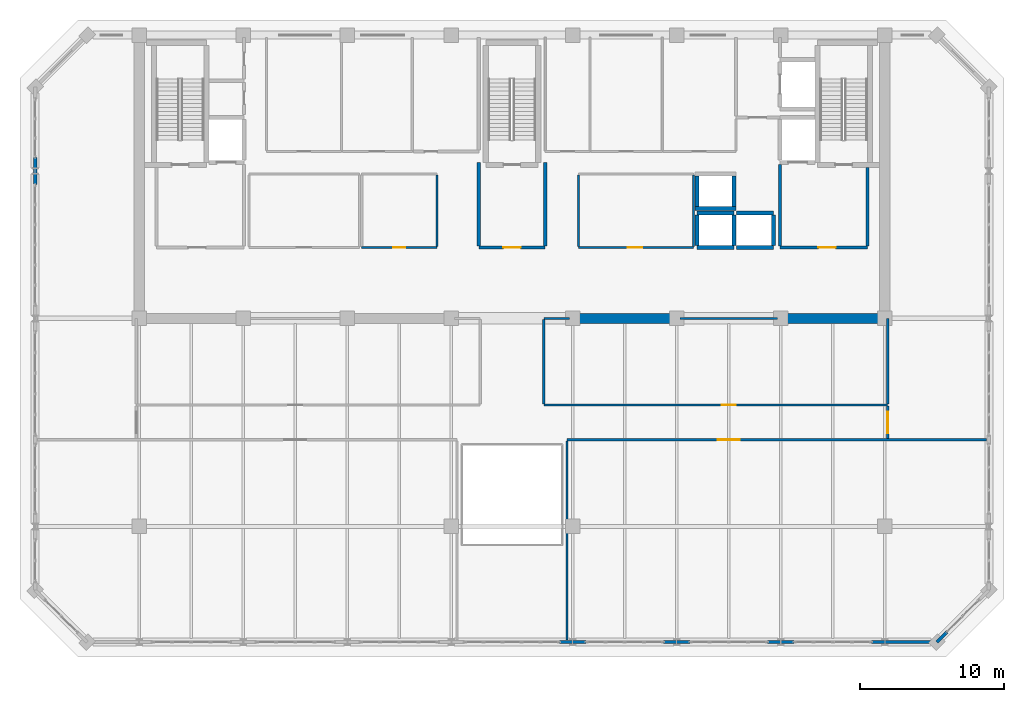
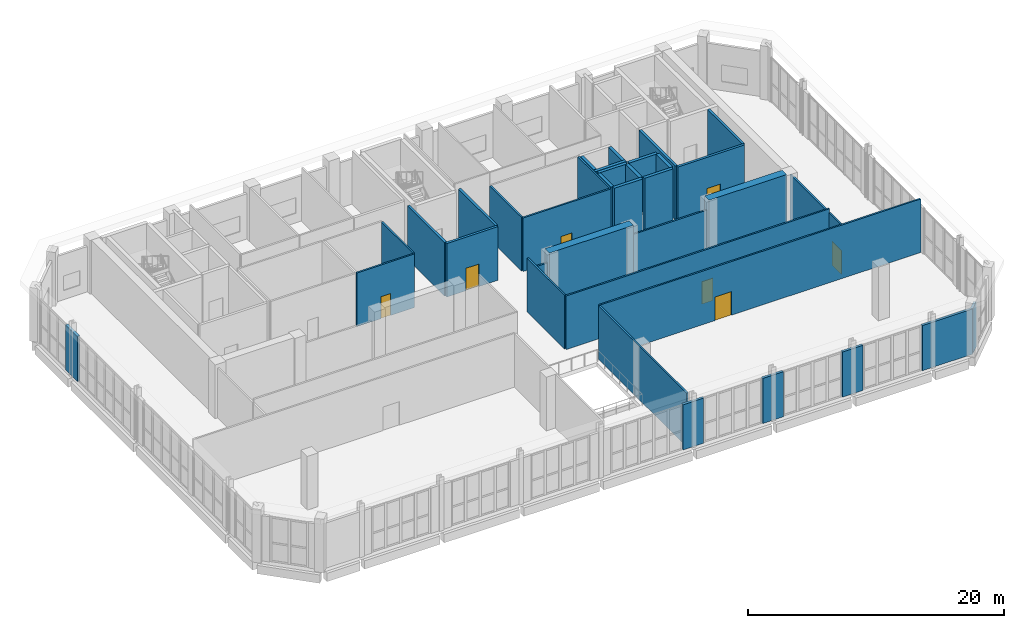
# One storey, part 20 of 26: 37 walls, 7 doors, 7 openings.
"""IFC4 building model written with IfcOpenShell, lengths in metres."""

from ifc_helpers import new_model, si_unit, direction, frame, frame_2d, origin, place, context, subcontext, project, spatial, rectangle, extrude, material, layer, layer_set, type_object, element, fill, save


model = new_model("IFC4")

# Units and contexts
model_context = context("Model", 3, precision=1e-05, world=origin(), true_north=direction((0.0, 1.0)))
body_context = subcontext(model_context, "Body", "Model", "MODEL_VIEW")
ifc_project = project(units=[si_unit("LENGTHUNIT", "METRE"), si_unit("AREAUNIT", "SQUARE_METRE"), si_unit("VOLUMEUNIT", "CUBIC_METRE"), si_unit("PLANEANGLEUNIT", "RADIAN"), si_unit("MASSUNIT", "GRAM", prefix="KILO")], contexts=[model_context])

# Site, building, storey
site_placement = place(None, origin())
site = spatial("IfcSite", under=ifc_project, at=site_placement, CompositionType="ELEMENT")
building_placement = place(site_placement, origin())
building = spatial("IfcBuilding", under=site, at=building_placement, Name="Kaelvorn Grand Hotel", CompositionType="ELEMENT")
storey_placement = place(building_placement, frame((0.0, 0.0, 300.199951171875)))
storey = spatial("IfcBuildingStorey", under=building, at=storey_placement, Name="L73", CompositionType="ELEMENT", Elevation=300.199951171875)

# Walls
ifc_material_1 = material(Name="Concrete C50/60", Category="concrete")
ifc_layer_1 = layer(ifc_material_1, 0.699951171875)
ifc_layer_set_1 = layer_set([ifc_layer_1], Name="Concrete C50/60")
wall_type_1 = type_object("IfcWallType", Name="WL-CORE-700-C50", PredefinedType="SHEAR", material=ifc_layer_set_1)
wall_1_placement = place(storey_placement, frame((46.0, 29.39990234375, 0.0), z_axis=(0.0, 0.0, 1.0), x_axis=(1.0, 0.0, 0.0)))
element("IfcWall", 1, at=wall_1_placement, inside=storey, type_object=wall_type_1, Name="L73 Rear-Core Coupled Shear Pier S3", PredefinedType="SHEAR", context=body_context, shape_type="SweptSolid", body=[
    extrude(rectangle(XDim=7.60009765625, YDim=0.699951171875, at=frame_2d((3.800048828125, 0.0))), origin(), (0.0, 0.0, 1.0), 5.1201171875),
])
wall_2_placement = place(storey_placement, frame((60.39990234375, 29.39990234375, 0.0), z_axis=(0.0, 0.0, 1.0), x_axis=(1.0, 0.0, 0.0)))
element("IfcWall", 2, at=wall_2_placement, inside=storey, type_object=wall_type_1, Name="L73 Rear-Core Coupled Shear Pier S4", PredefinedType="SHEAR", context=body_context, shape_type="SweptSolid", body=[
    extrude(rectangle(XDim=7.045166015625, YDim=0.699951171875, at=frame_2d((3.5224609375, 0.0))), origin(), (0.0, 0.0, 1.0), 5.1201171875),
])
ifc_material_2 = material(Name="Concrete C40/50", Category="concrete")
ifc_layer_2 = layer(ifc_material_2, 0.219970703125)
ifc_layer_set_2 = layer_set([ifc_layer_2], Name="Concrete C40/50")
wall_type_2 = type_object("IfcWallType", Name="WL-EXT-220-C40", PredefinedType="SOLIDWALL", material=ifc_layer_set_2)
wall_3_placement = place(storey_placement, frame((45.27490234375, 7.0, 0.0), z_axis=(0.0, 0.0, 1.0), x_axis=(1.0, 0.0, 0.0)))
element("IfcWall", 3, at=wall_3_placement, inside=storey, type_object=wall_type_2, Name="L73 Exterior Architectural Concrete Wall 01 Pier 5", PredefinedType="SOLIDWALL", context=body_context, shape_type="SweptSolid", body=[
    extrude(rectangle(XDim=1.85009765625, YDim=0.219970703125, at=frame_2d((0.925048828125, 0.0))), origin(), (0.0, 0.0, 1.0), 4.320068359375),
])
for number, where, z_axis, x_axis, name in (
    (4, (52.47509765625, 7.0, 0.0), (0.0, 0.0, 1.0), (1.0, 0.0, 0.0), "L73 Exterior Architectural Concrete Wall 01 Pier 6"),
    (5, (59.675048828125, 7.0, 0.0), (0.0, 0.0, 1.0), (1.0, 0.0, 0.0), "L73 Exterior Architectural Concrete Wall 01 Pier 7"),
):
    element("IfcWall", number, at=place(storey_placement, frame(where, z_axis=z_axis, x_axis=x_axis)), inside=storey, type_object=wall_type_2, Name=name, PredefinedType="SOLIDWALL", context=body_context, shape_type="SweptSolid", body=[
        extrude(rectangle(XDim=1.849853515625, YDim=0.219970703125, at=frame_2d((0.9248046875, 0.0))), origin(), (0.0, 0.0, 1.0), 4.320068359375),
    ])
wall_4_placement = place(storey_placement, frame((66.875, 7.0, 0.0), z_axis=(0.0, 0.0, 1.0), x_axis=(1.0, 0.0, 0.0)))
element("IfcWall", 6, at=wall_4_placement, inside=storey, type_object=wall_type_2, Name="L73 Exterior Architectural Concrete Wall 01 Pier 8", PredefinedType="SOLIDWALL", context=body_context, shape_type="SweptSolid", body=[
    extrude(rectangle(XDim=4.52490234375, YDim=0.219970703125, at=frame_2d((2.262451171875, 0.0))), origin(), (0.0, 0.0, 1.0), 4.320068359375),
])
wall_5_placement = place(storey_placement, frame((71.39990234375, 7.0, 0.0), z_axis=(0.0, 0.0, 1.0), x_axis=(0.707106781187, 0.707106781187, 0.0)))
element("IfcWall", 7, at=wall_5_placement, inside=storey, type_object=wall_type_2, Name="L73 Exterior Architectural Concrete Wall 02 Pier 1", PredefinedType="SOLIDWALL", context=body_context, shape_type="SweptSolid", body=[
    extrude(rectangle(XDim=0.985107421875, YDim=0.219970703125, at=frame_2d((0.49267578125, 0.0))), origin(), (0.0, 0.0, 1.0), 4.320068359375),
])
wall_6_placement = place(storey_placement, frame((9.0, 40.52490234375, 0.0), z_axis=(0.0, 0.0, 1.0), x_axis=(0.0, -1.0, 0.0)))
element("IfcWall", 8, at=wall_6_placement, inside=storey, type_object=wall_type_2, Name="L73 Exterior Architectural Concrete Wall 07 Pier 2", PredefinedType="SOLIDWALL", context=body_context, shape_type="SweptSolid", body=[
    extrude(rectangle(XDim=1.849853515625, YDim=0.219970703125, at=frame_2d((0.9248046875, 0.0))), origin(), (0.0, 0.0, 1.0), 4.320068359375),
])

# Wall, opening, door
ifc_material_3 = material(Name="Acoustic Gypsum & Stud Partition")
ifc_layer_3 = layer(ifc_material_3, 0.14990234375)
ifc_layer_set_3 = layer_set([ifc_layer_3], Name="Acoustic Gypsum & Stud Partition")
wall_type_3 = type_object("IfcWallType", Name="WL-PART-150-EI60", PredefinedType="PARTITIONING", material=ifc_layer_set_3)
wall_7_placement = place(storey_placement, frame((31.60009765625, 34.300048828125, 0.0), z_axis=(0.0, 0.0, 1.0), x_axis=(1.0, 0.0, 0.0)))
wall_7 = element("IfcWall", 9, at=wall_7_placement, inside=storey, type_object=wall_type_3, Name="L73 Core Telecoms & BMS Server Room S Partition", PredefinedType="PARTITIONING", context=body_context, shape_type="SweptSolid", body=[
    extrude(rectangle(XDim=5.199951171875, YDim=0.14990234375, at=frame_2d((2.60009765625, 0.0))), origin(), (0.0, 0.0, 1.0), 5.1201171875),
])
opening_1_placement = place(wall_7_placement, frame((2.175048828125, 0.0, 0.0)))
opening_1 = element("IfcOpeningElement", 10, at=opening_1_placement, cuts=wall_7, Name="Opening DI7", PredefinedType="OPENING", context=body_context, shape_type="SweptSolid", body=[
    extrude(rectangle(XDim=0.85009765625, YDim=2.10009765625, at=frame_2d((0.425048828125, 1.050048828125))), frame((0.0, 0.0849609375, 0.0), z_axis=(0.0, -1.0, 0.0), x_axis=(1.0, 0.0, 0.0)), (0.0, 0.0, 1.0), 0.169921875),
])
ifc_material_4 = material(Name="Powder-Coated Steel Leaf", Category="steel")
door_type_1 = type_object("IfcDoorType", Name="DR-INT-RISER-850x2100", OperationType="NOTDEFINED", PredefinedType="DOOR", material=ifc_material_4)
door_1_placement = place(opening_1_placement, origin())
door_1 = element("IfcDoor", 11, at=door_1_placement, inside=storey, type_object=door_type_1, Name="L73 Core Telecoms & BMS Server Room Door", OperationType="SINGLE_SWING_LEFT", OverallHeight=2.10009765625, OverallWidth=0.85009765625, PredefinedType="DOOR", context=body_context, shape_type="SweptSolid", body=[
    extrude(rectangle(XDim=0.85009765625, YDim=2.10009765625, at=frame_2d((0.425048828125, 1.050048828125))), frame((0.0, 0.02490234375, 0.0), z_axis=(0.0, -1.0, 0.0), x_axis=(1.0, 0.0, 0.0)), (0.0, 0.0, 1.0), 0.050048828125),
])
fill(opening_1, door_1)

# Wall
wall_8_placement = place(storey_placement, frame((36.800048828125, 34.3798828125, 0.0), z_axis=(0.0, 0.0, 1.0), x_axis=(0.0, 1.0, 0.0)))
element("IfcWall", 12, at=wall_8_placement, inside=storey, type_object=wall_type_3, Name="L73 Core Telecoms & BMS Server Room E Partition", PredefinedType="PARTITIONING", context=body_context, shape_type="SweptSolid", body=[
    extrude(rectangle(XDim=4.940185546875, YDim=0.14990234375, at=frame_2d((2.47021484375, 0.0))), origin(), (0.0, 0.0, 1.0), 5.1201171875),
])

# Wall, opening, door
wall_9_placement = place(storey_placement, frame((46.60009765625, 34.300048828125, 0.0), z_axis=(0.0, 0.0, 1.0), x_axis=(1.0, 0.0, 0.0)))
wall_9 = element("IfcWall", 13, at=wall_9_placement, inside=storey, type_object=wall_type_3, Name="L73 Sky Concierge & Butler Pantry Lounge S Partition", PredefinedType="PARTITIONING", context=body_context, shape_type="SweptSolid", body=[
    extrude(rectangle(XDim=7.949951171875, YDim=0.14990234375, at=frame_2d((3.97509765625, 0.0))), origin(), (0.0, 0.0, 1.0), 5.1201171875),
])
opening_2_placement = place(wall_9_placement, frame((3.39990234375, 0.0, 0.0)))
opening_2 = element("IfcOpeningElement", 14, at=opening_2_placement, cuts=wall_9, Name="Opening DI3", PredefinedType="OPENING", context=body_context, shape_type="SweptSolid", body=[
    extrude(rectangle(XDim=1.0, YDim=2.14990234375, at=frame_2d((0.5, 1.074951171875))), frame((0.0, 0.0849609375, 0.0), z_axis=(0.0, -1.0, 0.0), x_axis=(1.0, 0.0, 0.0)), (0.0, 0.0, 1.0), 0.169921875),
])
ifc_material_5 = material(Name="Timber Veneer Fire Leaf", Category="wood")
door_type_2 = type_object("IfcDoorType", Name="DR-INT-GUEST-1000x2150", OperationType="NOTDEFINED", PredefinedType="DOOR", material=ifc_material_5)
door_2_placement = place(opening_2_placement, origin())
door_2 = element("IfcDoor", 15, at=door_2_placement, inside=storey, type_object=door_type_2, Name="L73 Sky Concierge & Butler Pantry Lounge Door", OperationType="SINGLE_SWING_LEFT", OverallHeight=2.14990234375, OverallWidth=1.0, PredefinedType="DOOR", context=body_context, shape_type="SweptSolid", body=[
    extrude(rectangle(XDim=1.0, YDim=2.14990234375, at=frame_2d((0.5, 1.074951171875))), frame((0.0, 0.02490234375, 0.0), z_axis=(0.0, -1.0, 0.0), x_axis=(1.0, 0.0, 0.0)), (0.0, 0.0, 1.0), 0.050048828125),
])
fill(opening_2, door_2)

# Walls
for number, where, z_axis, x_axis, name in (
    (16, (46.60009765625, 34.3798828125, 0.0), (0.0, 0.0, 1.0), (0.0, 1.0, 0.0), "L73 Sky Concierge & Butler Pantry Lounge W Partition"),
    (17, (54.550048828125, 34.3798828125, 0.0), (0.0, 0.0, 1.0), (0.0, 1.0, 0.0), "L73 Sky Concierge & Butler Pantry Lounge E Partition"),
):
    element("IfcWall", number, at=place(storey_placement, frame(where, z_axis=z_axis, x_axis=x_axis)), inside=storey, type_object=wall_type_3, Name=name, PredefinedType="PARTITIONING", context=body_context, shape_type="SweptSolid", body=[
        extrude(rectangle(XDim=4.940185546875, YDim=0.14990234375, at=frame_2d((2.47021484375, 0.0))), origin(), (0.0, 0.0, 1.0), 5.1201171875),
    ])

# Wall, opening, door
wall_10_placement = place(storey_placement, frame((45.800048828125, 21.0, 0.0), z_axis=(0.0, 0.0, 1.0), x_axis=(1.0, 0.0, 0.0)))
wall_10 = element("IfcWall", 18, at=wall_10_placement, inside=storey, type_object=wall_type_3, Name="L73 High-Altitude Wind Observatory Salon N Partition", PredefinedType="PARTITIONING", context=body_context, shape_type="SweptSolid", body=[
    extrude(rectangle(XDim=29.050048828125, YDim=0.14990234375, at=frame_2d((14.52490234375, 0.0))), origin(), (0.0, 0.0, 1.0), 5.1201171875),
])
opening_3_placement = place(wall_10_placement, frame((10.449951171875, 0.0, 0.0)))
opening_3 = element("IfcOpeningElement", 19, at=opening_3_placement, cuts=wall_10, Name="Opening DI5", PredefinedType="OPENING", context=body_context, shape_type="SweptSolid", body=[
    extrude(rectangle(XDim=1.5, YDim=2.25, at=frame_2d((0.75, 1.125))), frame((0.0, 0.0849609375, 0.0), z_axis=(0.0, -1.0, 0.0), x_axis=(1.0, 0.0, 0.0)), (0.0, 0.0, 1.0), 0.169921875),
])
door_type_3 = type_object("IfcDoorType", Name="DR-INT-SALON-1500x2250", OperationType="DOUBLE_DOOR_SINGLE_SWING", PredefinedType="DOOR", material=ifc_material_5)
door_3_placement = place(opening_3_placement, origin())
door_3 = element("IfcDoor", 20, at=door_3_placement, inside=storey, type_object=door_type_3, Name="L73 High-Altitude Wind Observatory Salon Door", OperationType="DOUBLE_DOOR_SINGLE_SWING", OverallHeight=2.25, OverallWidth=1.5, PredefinedType="DOOR", context=body_context, shape_type="SweptSolid", body=[
    extrude(rectangle(XDim=1.5, YDim=2.25, at=frame_2d((0.75, 1.125))), frame((0.0, 0.02490234375, 0.0), z_axis=(0.0, -1.0, 0.0), x_axis=(1.0, 0.0, 0.0)), (0.0, 0.0, 1.0), 0.050048828125),
])
fill(opening_3, door_3)

# Wall
wall_11_placement = place(storey_placement, frame((45.800048828125, 7.14990234375, 0.0), z_axis=(0.0, 0.0, 1.0), x_axis=(0.0, 1.0, 0.0)))
element("IfcWall", 21, at=wall_11_placement, inside=storey, type_object=wall_type_3, Name="L73 High-Altitude Wind Observatory Salon W Partition", PredefinedType="PARTITIONING", context=body_context, shape_type="SweptSolid", body=[
    extrude(rectangle(XDim=13.77001953125, YDim=0.14990234375, at=frame_2d((6.885009765625, 0.0))), origin(), (0.0, 0.0, 1.0), 5.1201171875),
])

# Wall, opening, door
wall_12_placement = place(storey_placement, frame((44.199951171875, 23.39990234375, 0.0), z_axis=(0.0, 0.0, 1.0), x_axis=(1.0, 0.0, 0.0)))
wall_12 = element("IfcWall", 22, at=wall_12_placement, inside=storey, type_object=wall_type_3, Name="L73 Sky Lecture & Symposium Boardroom S Partition", PredefinedType="PARTITIONING", context=body_context, shape_type="SweptSolid", body=[
    extrude(rectangle(XDim=23.800048828125, YDim=0.14990234375, at=frame_2d((11.89990234375, 0.0))), origin(), (0.0, 0.0, 1.0), 5.1201171875),
])
opening_4_placement = place(wall_12_placement, frame((12.300048828125, 0.0, 0.0)))
opening_4 = element("IfcOpeningElement", 23, at=opening_4_placement, cuts=wall_12, Name="Opening DI3", PredefinedType="OPENING", context=body_context, shape_type="SweptSolid", body=[
    extrude(rectangle(XDim=1.0, YDim=2.14990234375, at=frame_2d((0.5, 1.074951171875))), frame((0.0, 0.0849609375, 0.0), z_axis=(0.0, -1.0, 0.0), x_axis=(1.0, 0.0, 0.0)), (0.0, 0.0, 1.0), 0.169921875),
])
door_4_placement = place(opening_4_placement, origin())
door_4 = element("IfcDoor", 24, at=door_4_placement, inside=storey, type_object=door_type_2, Name="L73 Sky Lecture & Symposium Boardroom Door", OperationType="SINGLE_SWING_LEFT", OverallHeight=2.14990234375, OverallWidth=1.0, PredefinedType="DOOR", context=body_context, shape_type="SweptSolid", body=[
    extrude(rectangle(XDim=1.0, YDim=2.14990234375, at=frame_2d((0.5, 1.074951171875))), frame((0.0, 0.02490234375, 0.0), z_axis=(0.0, -1.0, 0.0), x_axis=(1.0, 0.0, 0.0)), (0.0, 0.0, 1.0), 0.050048828125),
])
fill(opening_4, door_4)

# Walls
wall_13_placement = place(storey_placement, frame((44.199951171875, 29.39990234375, 0.0), z_axis=(0.0, 0.0, 1.0), x_axis=(1.0, 0.0, 0.0)))
element("IfcWall", 25, at=wall_13_placement, inside=storey, type_object=wall_type_3, Name="L73 Sky Lecture & Symposium Boardroom N Partition (1)", PredefinedType="PARTITIONING", context=body_context, shape_type="SweptSolid", body=[
    extrude(rectangle(XDim=1.7900390625, YDim=0.14990234375, at=frame_2d((0.89501953125, 0.0))), origin(), (0.0, 0.0, 1.0), 4.02001953125),
])
wall_14_placement = place(storey_placement, frame((53.610107421875, 29.39990234375, 0.0), z_axis=(0.0, 0.0, 1.0), x_axis=(1.0, 0.0, 0.0)))
element("IfcWall", 26, at=wall_14_placement, inside=storey, type_object=wall_type_3, Name="L73 Sky Lecture & Symposium Boardroom N Partition (2)", PredefinedType="PARTITIONING", context=body_context, shape_type="SweptSolid", body=[
    extrude(rectangle(XDim=6.77978515625, YDim=0.14990234375, at=frame_2d((3.389892578125, 0.0))), origin(), (0.0, 0.0, 1.0), 4.02001953125),
])
wall_15_placement = place(storey_placement, frame((44.199951171875, 23.47998046875, 0.0), z_axis=(0.0, 0.0, 1.0), x_axis=(0.0, 1.0, 0.0)))
element("IfcWall", 27, at=wall_15_placement, inside=storey, type_object=wall_type_3, Name="L73 Sky Lecture & Symposium Boardroom W Partition", PredefinedType="PARTITIONING", context=body_context, shape_type="SweptSolid", body=[
    extrude(rectangle(XDim=5.840087890625, YDim=0.14990234375, at=frame_2d((2.919921875, 0.0))), origin(), (0.0, 0.0, 1.0), 5.1201171875),
])
wall_16_placement = place(storey_placement, frame((68.0, 23.47998046875, 0.0), z_axis=(0.0, 0.0, 1.0), x_axis=(0.0, 1.0, 0.0)))
element("IfcWall", 28, at=wall_16_placement, inside=storey, type_object=wall_type_3, Name="L73 Sky Lecture & Symposium Boardroom E Partition", PredefinedType="PARTITIONING", context=body_context, shape_type="SweptSolid", body=[
    extrude(rectangle(XDim=5.909912109375, YDim=0.14990234375, at=frame_2d((2.955078125, 0.0))), origin(), (0.0, 0.0, 1.0), 4.760009765625),
])

# Wall, opening, door
wall_17_placement = place(storey_placement, frame((68.0, 21.080078125, 0.0), z_axis=(0.0, 0.0, 1.0), x_axis=(0.0, 1.0, 0.0)))
wall_17 = element("IfcWall", 29, at=wall_17_placement, inside=storey, type_object=wall_type_3, Name="L73 East Mezzanine Tea Kitchen W Partition", PredefinedType="PARTITIONING", context=body_context, shape_type="SweptSolid", body=[
    extrude(rectangle(XDim=2.239990234375, YDim=0.14990234375, at=frame_2d((1.1201171875, 0.0))), origin(), (0.0, 0.0, 1.0), 4.760009765625),
])
opening_5_placement = place(wall_17_placement, frame((0.3701171875, 0.0, 0.0)))
opening_5 = element("IfcOpeningElement", 30, at=opening_5_placement, cuts=wall_17, Name="Opening DI5", PredefinedType="OPENING", context=body_context, shape_type="SweptSolid", body=[
    extrude(rectangle(XDim=1.5, YDim=2.25, at=frame_2d((0.75, 1.125))), frame((0.0, 0.0849609375, 0.0), z_axis=(0.0, -1.0, 0.0), x_axis=(1.0, 0.0, 0.0)), (0.0, 0.0, 1.0), 0.169921875),
])
door_5_placement = place(opening_5_placement, origin())
door_5 = element("IfcDoor", 31, at=door_5_placement, inside=storey, type_object=door_type_3, Name="L73 East Mezzanine Tea Kitchen Door", OperationType="DOUBLE_DOOR_SINGLE_SWING", OverallHeight=2.25, OverallWidth=1.5, PredefinedType="DOOR", context=body_context, shape_type="SweptSolid", body=[
    extrude(rectangle(XDim=1.5, YDim=2.25, at=frame_2d((0.75, 1.125))), frame((0.0, 0.02490234375, 0.0), z_axis=(0.0, -1.0, 0.0), x_axis=(1.0, 0.0, 0.0)), (0.0, 0.0, 1.0), 0.050048828125),
])
fill(opening_5, door_5)

ifc_layer_4 = layer(ifc_material_2, 0.219970703125)
ifc_layer_set_4 = layer_set([ifc_layer_4], Name="Concrete C40/50")
wall_type_4 = type_object("IfcWallType", Name="WL-PART-220-EI120", PredefinedType="PARTITIONING", material=ifc_layer_set_4)
wall_18_placement = place(storey_placement, frame((60.550048828125, 34.300048828125, 0.0), z_axis=(0.0, 0.0, 1.0), x_axis=(1.0, 0.0, 0.0)))
wall_18 = element("IfcWall", 32, at=wall_18_placement, inside=storey, type_object=wall_type_4, Name="L73 Firefighting Lift Lobby 2 S Partition", PredefinedType="PARTITIONING", context=body_context, shape_type="SweptSolid", body=[
    extrude(rectangle(XDim=6.050048828125, YDim=0.219970703125, at=frame_2d((3.02490234375, 0.0))), origin(), (0.0, 0.0, 1.0), 5.1201171875),
])
opening_6_placement = place(wall_18_placement, frame((2.64990234375, 0.0, 0.0)))
opening_6 = element("IfcOpeningElement", 33, at=opening_6_placement, cuts=wall_18, Name="Opening DI2", PredefinedType="OPENING", context=body_context, shape_type="SweptSolid", body=[
    extrude(rectangle(XDim=1.199951171875, YDim=2.14990234375, at=frame_2d((0.60009765625, 1.074951171875))), frame((0.0, 0.1201171875, 0.0), z_axis=(0.0, -1.0, 0.0), x_axis=(1.0, 0.0, 0.0)), (0.0, 0.0, 1.0), 0.239990234375),
])
door_type_4 = type_object("IfcDoorType", Name="DR-INT-FFLOB-1200x2150", OperationType="NOTDEFINED", PredefinedType="DOOR", material=ifc_material_5)
door_6_placement = place(opening_6_placement, origin())
door_6 = element("IfcDoor", 34, at=door_6_placement, inside=storey, type_object=door_type_4, Name="L73 Firefighting Lift Lobby 2 Door", OperationType="SINGLE_SWING_RIGHT", OverallHeight=2.14990234375, OverallWidth=1.199951171875, PredefinedType="DOOR", context=body_context, shape_type="SweptSolid", body=[
    extrude(rectangle(XDim=1.199951171875, YDim=2.14990234375, at=frame_2d((0.60009765625, 1.074951171875))), frame((0.0, 0.02490234375, 0.0), z_axis=(0.0, -1.0, 0.0), x_axis=(1.0, 0.0, 0.0)), (0.0, 0.0, 1.0), 0.050048828125),
])
fill(opening_6, door_6)

# Walls
wall_19_placement = place(storey_placement, frame((60.550048828125, 34.4150390625, 0.0), z_axis=(0.0, 0.0, 1.0), x_axis=(0.0, 1.0, 0.0)))
element("IfcWall", 35, at=wall_19_placement, inside=storey, type_object=wall_type_4, Name="L73 Firefighting Lift Lobby 2 W Partition", PredefinedType="PARTITIONING", context=body_context, shape_type="SweptSolid", body=[
    extrude(rectangle(XDim=5.639892578125, YDim=0.219970703125, at=frame_2d((2.81982421875, 0.0))), origin(), (0.0, 0.0, 1.0), 5.1201171875),
])
wall_20_placement = place(storey_placement, frame((66.60009765625, 34.4150390625, 0.0), z_axis=(0.0, 0.0, 1.0), x_axis=(0.0, 1.0, 0.0)))
element("IfcWall", 36, at=wall_20_placement, inside=storey, type_object=wall_type_4, Name="L73 Firefighting Lift Lobby 2 E Partition", PredefinedType="PARTITIONING", context=body_context, shape_type="SweptSolid", body=[
    extrude(rectangle(XDim=5.429931640625, YDim=0.219970703125, at=frame_2d((2.71484375, 0.0))), origin(), (0.0, 0.0, 1.0), 5.1201171875),
])

# Wall, opening, door
wall_21_placement = place(storey_placement, frame((39.699951171875, 34.300048828125, 0.0), z_axis=(0.0, 0.0, 1.0), x_axis=(1.0, 0.0, 0.0)))
wall_21 = element("IfcWall", 37, at=wall_21_placement, inside=storey, type_object=wall_type_4, Name="L73 Central Stair Escape Vestibule S Partition", PredefinedType="PARTITIONING", context=body_context, shape_type="SweptSolid", body=[
    extrude(rectangle(XDim=4.60009765625, YDim=0.219970703125, at=frame_2d((2.300048828125, 0.0))), origin(), (0.0, 0.0, 1.0), 5.1201171875),
])
opening_7_placement = place(wall_21_placement, frame((1.699951171875, 0.0, 0.0)))
opening_7 = element("IfcOpeningElement", 38, at=opening_7_placement, cuts=wall_21, Name="Opening DI2", PredefinedType="OPENING", context=body_context, shape_type="SweptSolid", body=[
    extrude(rectangle(XDim=1.199951171875, YDim=2.14990234375, at=frame_2d((0.60009765625, 1.074951171875))), frame((0.0, 0.1201171875, 0.0), z_axis=(0.0, -1.0, 0.0), x_axis=(1.0, 0.0, 0.0)), (0.0, 0.0, 1.0), 0.239990234375),
])
door_7_placement = place(opening_7_placement, origin())
door_7 = element("IfcDoor", 39, at=door_7_placement, inside=storey, type_object=door_type_4, Name="L73 Central Stair Escape Vestibule Door", OperationType="SINGLE_SWING_LEFT", OverallHeight=2.14990234375, OverallWidth=1.199951171875, PredefinedType="DOOR", context=body_context, shape_type="SweptSolid", body=[
    extrude(rectangle(XDim=1.199951171875, YDim=2.14990234375, at=frame_2d((0.60009765625, 1.074951171875))), frame((0.0, 0.02490234375, 0.0), z_axis=(0.0, -1.0, 0.0), x_axis=(1.0, 0.0, 0.0)), (0.0, 0.0, 1.0), 0.050048828125),
])
fill(opening_7, door_7)

# Walls
for number, where, z_axis, x_axis, name in (
    (40, (39.699951171875, 34.4150390625, 0.0), (0.0, 0.0, 1.0), (0.0, 1.0, 0.0), "L73 Central Stair Escape Vestibule W Partition"),
    (41, (44.300048828125, 34.4150390625, 0.0), (0.0, 0.0, 1.0), (0.0, 1.0, 0.0), "L73 Central Stair Escape Vestibule E Partition"),
):
    element("IfcWall", number, at=place(storey_placement, frame(where, z_axis=z_axis, x_axis=x_axis)), inside=storey, type_object=wall_type_4, Name=name, PredefinedType="PARTITIONING", context=body_context, shape_type="SweptSolid", body=[
        extrude(rectangle(XDim=5.784912109375, YDim=0.219970703125, at=frame_2d((2.892578125, 0.0))), origin(), (0.0, 0.0, 1.0), 5.1201171875),
    ])
ifc_layer_5 = layer(ifc_material_1, 0.280029296875)
ifc_layer_set_5 = layer_set([ifc_layer_5], Name="Concrete C50/60")
wall_type_5 = type_object("IfcWallType", Name="WL-SHAFT-280-C50", PredefinedType="SHEAR", material=ifc_layer_set_5)
for number, where, z_axis, x_axis, name in (
    (42, (54.800048828125, 34.300048828125, 0.0), (0.0, 0.0, 1.0), (1.0, 0.0, 0.0), "L73 Lift OL-1 Shaft South Wall"),
    (43, (54.800048828125, 36.699951171875, 0.0), (0.0, 0.0, 1.0), (1.0, 0.0, 0.0), "L73 Lift OL-1 Shaft North Wall"),
):
    element("IfcWall", number, at=place(storey_placement, frame(where, z_axis=z_axis, x_axis=x_axis)), inside=storey, type_object=wall_type_5, Name=name, PredefinedType="SHEAR", context=body_context, shape_type="SweptSolid", body=[
        extrude(rectangle(XDim=2.550048828125, YDim=0.280029296875, at=frame_2d((1.27490234375, 0.0))), origin(), (0.0, 0.0, 1.0), 5.1201171875),
    ])
for number, where, z_axis, x_axis, name in (
    (44, (54.800048828125, 34.445068359375, 0.0), (0.0, 0.0, 1.0), (0.0, 1.0, 0.0), "L73 Lift OL-1 Shaft West Wall"),
    (45, (57.35009765625, 34.445068359375, 0.0), (0.0, 0.0, 1.0), (0.0, 1.0, 0.0), "L73 Lift OL-1 Shaft East Wall"),
):
    element("IfcWall", number, at=place(storey_placement, frame(where, z_axis=z_axis, x_axis=x_axis)), inside=storey, type_object=wall_type_5, Name=name, PredefinedType="SHEAR", context=body_context, shape_type="SweptSolid", body=[
        extrude(rectangle(XDim=2.10986328125, YDim=0.280029296875, at=frame_2d((1.054931640625, 0.0))), origin(), (0.0, 0.0, 1.0), 5.1201171875),
    ])
for number, where, z_axis, x_axis, name in (
    (46, (57.550048828125, 34.300048828125, 0.0), (0.0, 0.0, 1.0), (1.0, 0.0, 0.0), "L73 Lift OL-2 Shaft South Wall"),
    (47, (57.550048828125, 36.699951171875, 0.0), (0.0, 0.0, 1.0), (1.0, 0.0, 0.0), "L73 Lift OL-2 Shaft North Wall"),
):
    element("IfcWall", number, at=place(storey_placement, frame(where, z_axis=z_axis, x_axis=x_axis)), inside=storey, type_object=wall_type_5, Name=name, PredefinedType="SHEAR", context=body_context, shape_type="SweptSolid", body=[
        extrude(rectangle(XDim=2.550048828125, YDim=0.280029296875, at=frame_2d((1.27490234375, 0.0))), origin(), (0.0, 0.0, 1.0), 5.1201171875),
    ])
wall_22_placement = place(storey_placement, frame((60.10009765625, 34.445068359375, 0.0), z_axis=(0.0, 0.0, 1.0), x_axis=(0.0, 1.0, 0.0)))
element("IfcWall", 48, at=wall_22_placement, inside=storey, type_object=wall_type_5, Name="L73 Lift OL-2 Shaft East Wall", PredefinedType="SHEAR", context=body_context, shape_type="SweptSolid", body=[
    extrude(rectangle(XDim=2.10986328125, YDim=0.280029296875, at=frame_2d((1.054931640625, 0.0))), origin(), (0.0, 0.0, 1.0), 5.1201171875),
])
wall_23_placement = place(storey_placement, frame((54.659912109375, 37.0, 0.0), z_axis=(0.0, 0.0, 1.0), x_axis=(1.0, 0.0, 0.0)))
element("IfcWall", 49, at=wall_23_placement, inside=storey, type_object=wall_type_5, Name="L73 Lift OL-3 Shaft South Wall", PredefinedType="SHEAR", context=body_context, shape_type="SweptSolid", body=[
    extrude(rectangle(XDim=2.830078125, YDim=0.280029296875, at=frame_2d((1.4150390625, 0.0))), origin(), (0.0, 0.0, 1.0), 5.1201171875),
])
for number, where, z_axis, x_axis, name in (
    (50, (54.800048828125, 37.14501953125, 0.0), (0.0, 0.0, 1.0), (0.0, 1.0, 0.0), "L73 Lift OL-3 Shaft West Wall"),
    (51, (57.35009765625, 37.14501953125, 0.0), (0.0, 0.0, 1.0), (0.0, 1.0, 0.0), "L73 Lift OL-3 Shaft East Wall"),
):
    element("IfcWall", number, at=place(storey_placement, frame(where, z_axis=z_axis, x_axis=x_axis)), inside=storey, type_object=wall_type_5, Name=name, PredefinedType="SHEAR", context=body_context, shape_type="SweptSolid", body=[
        extrude(rectangle(XDim=2.10986328125, YDim=0.280029296875, at=frame_2d((1.054931640625, 0.0))), origin(), (0.0, 0.0, 1.0), 5.1201171875),
    ])

save(model, "model.ifc")
